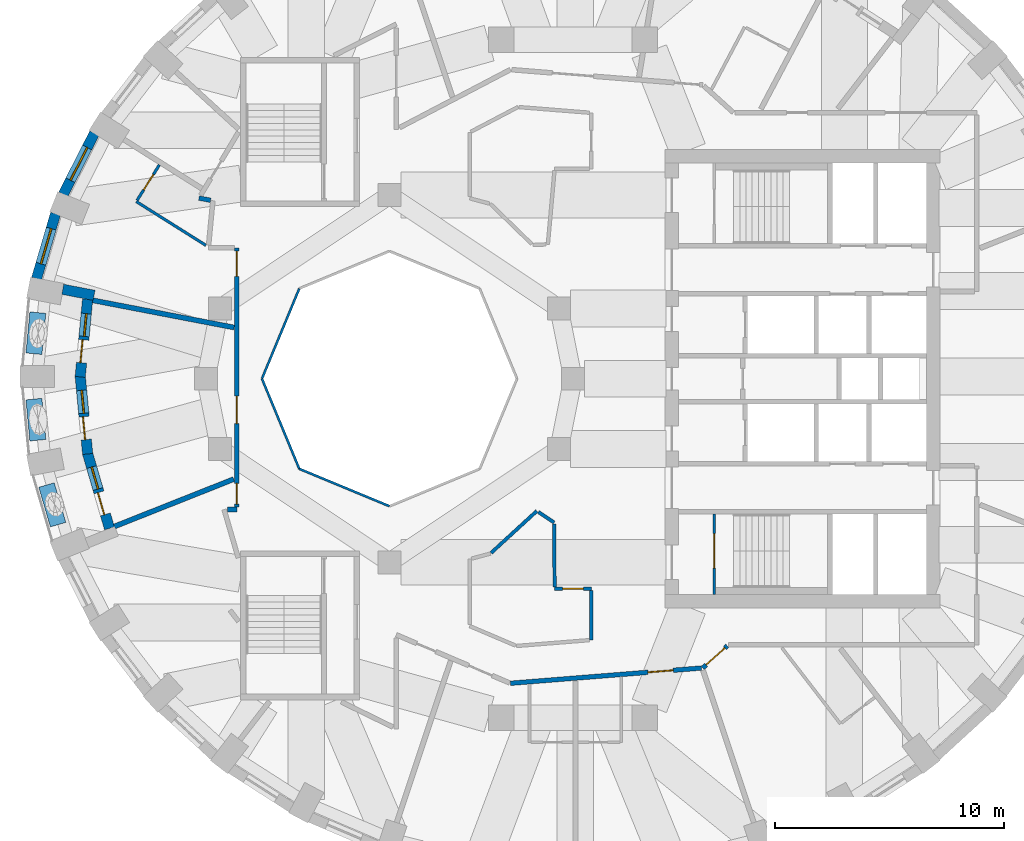
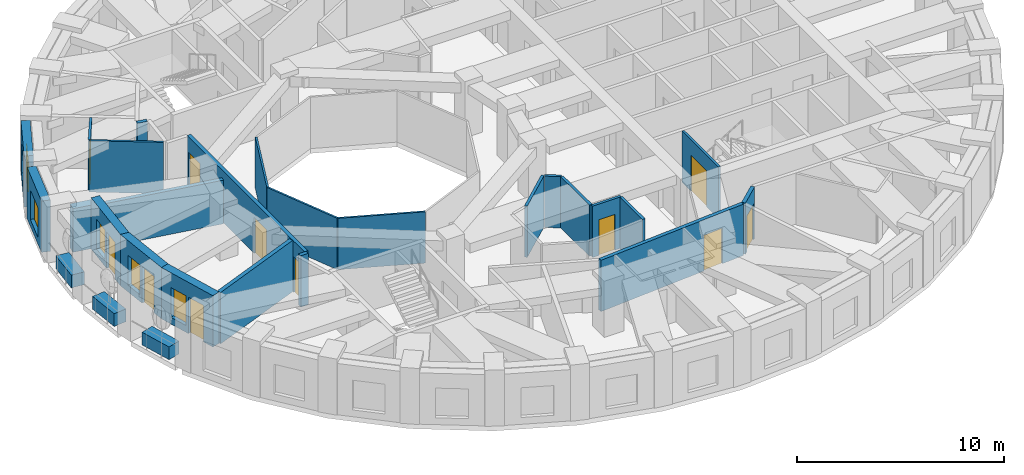
# One storey, part 4 of 12: 27 walls, 11 doors, 5 windows, 16 openings.
"""IFC4 building model written with IfcOpenShell, lengths in metres."""

from ifc_helpers import new_model, si_unit, direction, frame, frame_2d, origin, place, context, subcontext, project, spatial, rectangle, extrude, material, layer, layer_set, constituent, constituent_set, type_object, element, fill, save


model = new_model("IFC4")

# Units and contexts
model_context = context("Model", 3, precision=1e-05, world=origin(), true_north=direction((0.0, 1.0)))
body_context = subcontext(model_context, "Body", "Model", "MODEL_VIEW")
ifc_project = project(units=[si_unit("LENGTHUNIT", "METRE"), si_unit("AREAUNIT", "SQUARE_METRE"), si_unit("VOLUMEUNIT", "CUBIC_METRE"), si_unit("PLANEANGLEUNIT", "RADIAN"), si_unit("MASSUNIT", "GRAM", prefix="KILO")], contexts=[model_context])

# Site, building, storey
site_placement = place(None, origin())
site = spatial("IfcSite", under=ifc_project, at=site_placement, CompositionType="ELEMENT")
building_placement = place(site_placement, origin())
building = spatial("IfcBuilding", under=site, at=building_placement, Name="Taillehof Tower", CompositionType="ELEMENT")
storey_placement = place(building_placement, frame((0.0, 0.0, 145.10009765625)))
storey = spatial("IfcBuildingStorey", under=building, at=storey_placement, Name="L40", CompositionType="ELEMENT", Elevation=145.10009765625)

# Walls
ifc_material_1 = material(Name="Fire-resisting glass in steel frame", Category="steel")
ifc_layer_1 = layer(ifc_material_1, 0.10009765625)
ifc_layer_set_1 = layer_set([ifc_layer_1], Name="Atrium fire-resisting screen EI 60 100")
wall_type_1 = type_object("IfcWallType", Name="Atrium fire-resisting screen EI 60 100", PredefinedType="PARTITIONING", material=ifc_layer_set_1)
for number, where, z_axis, x_axis, name in (
    (1, (-8.0, -5.55419921875, 0.0), (0.0, 0.0, 1.0), (-0.923860025149, 0.382730523909, 0.0), "Atrium screen"),
    (2, (-11.92724609375, -3.92724609375, 0.0), (0.0, 0.0, 1.0), (-0.382730523909, 0.923860025149, 0.0), "Atrium screen"),
    (3, (-13.55419921875, 0.0, 0.0), (0.0, 0.0, 1.0), (0.382730523909, 0.923860025149, 0.0), "Atrium screen"),
):
    element("IfcWall", number, at=place(storey_placement, frame(where, z_axis=z_axis, x_axis=x_axis)), inside=storey, type_object=wall_type_1, Name=name, PredefinedType="PARTITIONING", context=body_context, shape_type="SweptSolid", body=[
        extrude(rectangle(XDim=4.2509765625, YDim=0.10009765625, at=frame_2d((2.12548828125, 0.0))), origin(), (0.0, 0.0, 1.0), 3.02001953125),
    ])

# Wall, opening, window
ifc_material_2 = material(Name="Brick masonry", Category="masonry")
ifc_layer_2 = layer(ifc_material_2, 0.449951171875)
ifc_layer_set_2 = layer_set([ifc_layer_2], Name="Brick infill wall 450")
wall_type_2 = type_object("IfcWallType", Name="Brick infill wall 450", PredefinedType="SOLIDWALL", material=ifc_layer_set_2)
wall_1_placement = place(storey_placement, frame((-20.859375, 10.697021484375, 0.0), z_axis=(0.0, 0.0, 1.0), x_axis=(-0.454133999889, -0.890933392653, 0.0)))
wall_1 = element("IfcWall", 4, at=wall_1_placement, inside=storey, type_object=wall_type_2, Name="Brick wall L40 bay 16", PredefinedType="SOLIDWALL", context=body_context, shape_type="SweptSolid", body=[
    extrude(rectangle(XDim=2.98583984375, YDim=0.449951171875, at=frame_2d((1.492919921875, 0.0))), origin(), (0.0, 0.0, 1.0), 3.02001953125),
])
opening_1_placement = place(wall_1_placement, frame((0.69287109375, 0.0, 0.39990234375)))
opening_1 = element("IfcOpeningElement", 5, at=opening_1_placement, cuts=wall_1, Name="Opening W3", PredefinedType="OPENING", context=body_context, shape_type="SweptSolid", body=[
    extrude(rectangle(XDim=1.60009765625, YDim=1.75, at=frame_2d((0.800048828125, 0.875))), frame((0.0, 0.23486328125, 0.0), z_axis=(0.0, -1.0, 0.0), x_axis=(1.0, 0.0, 0.0)), (0.0, 0.0, 1.0), 0.469970703125),
])
ifc_material_3 = material(Name="Aluminium window frame with clear double glazing", Category="aluminium")
window_type_1 = type_object("IfcWindowType", Name="Deep-set window 1600x1750", PartitioningType="SINGLE_PANEL", PredefinedType="WINDOW", material=ifc_material_3)
window_1_placement = place(opening_1_placement, origin())
window_1 = element("IfcWindow", 6, at=window_1_placement, inside=storey, type_object=window_type_1, Name="W3", OverallHeight=1.75, OverallWidth=1.60009765625, PartitioningType="SINGLE_PANEL", PredefinedType="WINDOW", context=body_context, shape_type="SweptSolid", body=[
    extrude(rectangle(XDim=1.60009765625, YDim=1.75, at=frame_2d((0.800048828125, 0.875))), frame((0.0, 0.034912109375, 0.0), z_axis=(0.0, -1.0, 0.0), x_axis=(1.0, 0.0, 0.0)), (0.0, 0.0, 1.0), 0.06005859375),
])
fill(opening_1, window_1)

wall_2_placement = place(storey_placement, frame((-22.55126953125, 7.19091796875, 0.0), z_axis=(0.0, 0.0, 1.0), x_axis=(-0.281125768296, -0.959670934435, 0.0)))
wall_2 = element("IfcWall", 7, at=wall_2_placement, inside=storey, type_object=wall_type_2, Name="Brick wall L40 bay 17", PredefinedType="SOLIDWALL", context=body_context, shape_type="SweptSolid", body=[
    extrude(rectangle(XDim=2.947509765625, YDim=0.449951171875, at=frame_2d((1.4736328125, 0.0))), origin(), (0.0, 0.0, 1.0), 3.02001953125),
])
opening_2_placement = place(wall_2_placement, frame((0.673583984375, 0.0, 0.39990234375)))
opening_2 = element("IfcOpeningElement", 8, at=opening_2_placement, cuts=wall_2, Name="Opening W3", PredefinedType="OPENING", context=body_context, shape_type="SweptSolid", body=[
    extrude(rectangle(XDim=1.60009765625, YDim=1.75, at=frame_2d((0.800048828125, 0.875))), frame((0.0, 0.23486328125, 0.0), z_axis=(0.0, -1.0, 0.0), x_axis=(1.0, 0.0, 0.0)), (0.0, 0.0, 1.0), 0.469970703125),
])
window_2_placement = place(opening_2_placement, origin())
window_2 = element("IfcWindow", 9, at=window_2_placement, inside=storey, type_object=window_type_1, Name="W3", OverallHeight=1.75, OverallWidth=1.60009765625, PartitioningType="SINGLE_PANEL", PredefinedType="WINDOW", context=body_context, shape_type="SweptSolid", body=[
    extrude(rectangle(XDim=1.60009765625, YDim=1.75, at=frame_2d((0.800048828125, 0.875))), frame((0.0, 0.034912109375, 0.0), z_axis=(0.0, -1.0, 0.0), x_axis=(1.0, 0.0, 0.0)), (0.0, 0.0, 1.0), 0.06005859375),
])
fill(opening_2, window_2)

# Wall
wall_3_placement = place(storey_placement, frame((-22.236572265625, 3.896484375, 0.0), z_axis=(0.0, 0.0, 1.0), x_axis=(0.98204526411, -0.188645432598, 0.0)))
element("IfcWall", 10, at=wall_3_placement, inside=storey, type_object=wall_type_2, Name="Brick reveal L40 pocket 5", PredefinedType="SOLIDWALL", context=body_context, shape_type="SweptSolid", body=[
    extrude(rectangle(XDim=1.389892578125, YDim=0.449951171875, at=frame_2d((0.69482421875, 0.0))), origin(), (0.0, 0.0, 1.0), 2.56982421875),
])

# Wall, openings, door, window
wall_4_placement = place(storey_placement, frame((-21.153564453125, 3.459228515625, 0.0), z_axis=(0.0, 0.0, 1.0), x_axis=(-0.094968544931, -0.995480273774, 0.0)))
wall_4 = element("IfcWall", 11, at=wall_4_placement, inside=storey, type_object=wall_type_2, Name="Brick wall L40 pocket bay 18", PredefinedType="SOLIDWALL", context=body_context, shape_type="SweptSolid", body=[
    extrude(rectangle(XDim=3.39599609375, YDim=0.449951171875, at=frame_2d((1.697998046875, 0.0))), origin(), (0.0, 0.0, 1.0), 3.02001953125),
])
opening_3_placement = place(wall_4_placement, frame((0.623046875, 0.0, 0.39990234375)))
opening_3 = element("IfcOpeningElement", 12, at=opening_3_placement, cuts=wall_4, Name="Opening W5", PredefinedType="OPENING", context=body_context, shape_type="SweptSolid", body=[
    extrude(rectangle(XDim=1.0, YDim=1.75, at=frame_2d((0.5, 0.875))), frame((0.0, 0.23486328125, 0.0), z_axis=(0.0, -1.0, 0.0), x_axis=(1.0, 0.0, 0.0)), (0.0, 0.0, 1.0), 0.469970703125),
])
opening_4_placement = place(wall_4_placement, frame((1.77294921875, 0.0, 0.0)))
opening_4 = element("IfcOpeningElement", 13, at=opening_4_placement, cuts=wall_4, Name="Opening D4091", PredefinedType="OPENING", context=body_context, shape_type="SweptSolid", body=[
    extrude(rectangle(XDim=1.0, YDim=2.14990234375, at=frame_2d((0.5, 1.074951171875))), frame((0.0, 0.23486328125, 0.0), z_axis=(0.0, -1.0, 0.0), x_axis=(1.0, 0.0, 0.0)), (0.0, 0.0, 1.0), 0.469970703125),
])
ifc_material_4 = material(Name="Aluminium door frame with clear double glazing", Category="aluminium")
door_type_1 = type_object("IfcDoorType", Name="Balcony door 1000x2150", OperationType="SINGLE_SWING_RIGHT", PredefinedType="DOOR", material=ifc_material_4)
door_1_placement = place(opening_4_placement, frame((1.0, 0.0, 0.0), z_axis=(0.0, 0.0, 1.0), x_axis=(-1.0, 0.0, 0.0)))
door_1 = element("IfcDoor", 14, at=door_1_placement, inside=storey, type_object=door_type_1, Name="Balcony door L40 bay 18", OperationType="SINGLE_SWING_RIGHT", OverallHeight=2.14990234375, OverallWidth=1.0, PredefinedType="DOOR", context=body_context, shape_type="SweptSolid", body=[
    extrude(rectangle(XDim=1.0, YDim=2.14990234375, at=frame_2d((0.5, 1.074951171875))), frame((0.0, 0.0751953125, 0.0), z_axis=(0.0, -1.0, 0.0), x_axis=(1.0, 0.0, 0.0)), (0.0, 0.0, 1.0), 0.050048828125),
])
fill(opening_4, door_1)
ifc_material_5 = material(Name="Aluminium window frame with clear double glazing", Category="aluminium")
window_type_2 = type_object("IfcWindowType", Name="Fixed window 1000x1750", PartitioningType="SINGLE_PANEL", PredefinedType="WINDOW", material=ifc_material_5)
window_3_placement = place(opening_3_placement, origin())
window_3 = element("IfcWindow", 15, at=window_3_placement, inside=storey, type_object=window_type_2, Name="W5", OverallHeight=1.75, OverallWidth=1.0, PartitioningType="SINGLE_PANEL", PredefinedType="WINDOW", context=body_context, shape_type="SweptSolid", body=[
    extrude(rectangle(XDim=1.0, YDim=1.75, at=frame_2d((0.5, 0.875))), frame((0.0, 0.034912109375, 0.0), z_axis=(0.0, -1.0, 0.0), x_axis=(1.0, 0.0, 0.0)), (0.0, 0.0, 1.0), 0.06005859375),
])
fill(opening_3, window_3)

wall_5_placement = place(storey_placement, frame((-21.47607421875, 0.121337890625, 0.0), z_axis=(0.0, 0.0, 1.0), x_axis=(0.094947321258, -0.995482298279, 0.0)))
wall_5 = element("IfcWall", 16, at=wall_5_placement, inside=storey, type_object=wall_type_2, Name="Brick wall L40 pocket bay 19", PredefinedType="SOLIDWALL", context=body_context, shape_type="SweptSolid", body=[
    extrude(rectangle(XDim=3.417236328125, YDim=0.449951171875, at=frame_2d((1.70849609375, 0.0))), origin(), (0.0, 0.0, 1.0), 3.02001953125),
])
opening_5_placement = place(wall_5_placement, frame((0.6337890625, 0.0, 0.39990234375)))
opening_5 = element("IfcOpeningElement", 17, at=opening_5_placement, cuts=wall_5, Name="Opening W5", PredefinedType="OPENING", context=body_context, shape_type="SweptSolid", body=[
    extrude(rectangle(XDim=1.0, YDim=1.75, at=frame_2d((0.5, 0.875))), frame((0.0, 0.23486328125, 0.0), z_axis=(0.0, -1.0, 0.0), x_axis=(1.0, 0.0, 0.0)), (0.0, 0.0, 1.0), 0.469970703125),
])
opening_6_placement = place(wall_5_placement, frame((1.78369140625, 0.0, 0.0)))
opening_6 = element("IfcOpeningElement", 18, at=opening_6_placement, cuts=wall_5, Name="Opening D4092", PredefinedType="OPENING", context=body_context, shape_type="SweptSolid", body=[
    extrude(rectangle(XDim=1.0, YDim=2.14990234375, at=frame_2d((0.5, 1.074951171875))), frame((0.0, 0.23486328125, 0.0), z_axis=(0.0, -1.0, 0.0), x_axis=(1.0, 0.0, 0.0)), (0.0, 0.0, 1.0), 0.469970703125),
])
door_2_placement = place(opening_6_placement, frame((1.0, 0.0, 0.0), z_axis=(0.0, 0.0, 1.0), x_axis=(-1.0, 0.0, 0.0)))
door_2 = element("IfcDoor", 19, at=door_2_placement, inside=storey, type_object=door_type_1, Name="Balcony door L40 bay 19", OperationType="SINGLE_SWING_LEFT", OverallHeight=2.14990234375, OverallWidth=1.0, PredefinedType="DOOR", context=body_context, shape_type="SweptSolid", body=[
    extrude(rectangle(XDim=1.0, YDim=2.14990234375, at=frame_2d((0.5, 1.074951171875))), frame((0.0, 0.0751953125, 0.0), z_axis=(0.0, -1.0, 0.0), x_axis=(1.0, 0.0, 0.0)), (0.0, 0.0, 1.0), 0.050048828125),
])
fill(opening_6, door_2)
window_4_placement = place(opening_5_placement, origin())
window_4 = element("IfcWindow", 20, at=window_4_placement, inside=storey, type_object=window_type_2, Name="W5", OverallHeight=1.75, OverallWidth=1.0, PartitioningType="SINGLE_PANEL", PredefinedType="WINDOW", context=body_context, shape_type="SweptSolid", body=[
    extrude(rectangle(XDim=1.0, YDim=1.75, at=frame_2d((0.5, 0.875))), frame((0.0, 0.034912109375, 0.0), z_axis=(0.0, -1.0, 0.0), x_axis=(1.0, 0.0, 0.0)), (0.0, 0.0, 1.0), 0.06005859375),
])
fill(opening_5, window_4)

wall_6_placement = place(storey_placement, frame((-21.159423828125, -3.23876953125, 0.0), z_axis=(0.0, 0.0, 1.0), x_axis=(0.280377942886, -0.959889685924, 0.0)))
wall_6 = element("IfcWall", 21, at=wall_6_placement, inside=storey, type_object=wall_type_2, Name="Brick wall L40 pocket bay 20", PredefinedType="SOLIDWALL", context=body_context, shape_type="SweptSolid", body=[
    extrude(rectangle(XDim=3.4228515625, YDim=0.449951171875, at=frame_2d((1.71142578125, 0.0))), origin(), (0.0, 0.0, 1.0), 3.02001953125),
])
opening_7_placement = place(wall_6_placement, frame((0.636474609375, 0.0, 0.39990234375)))
opening_7 = element("IfcOpeningElement", 22, at=opening_7_placement, cuts=wall_6, Name="Opening W5", PredefinedType="OPENING", context=body_context, shape_type="SweptSolid", body=[
    extrude(rectangle(XDim=1.0, YDim=1.75, at=frame_2d((0.5, 0.875))), frame((0.0, 0.23486328125, 0.0), z_axis=(0.0, -1.0, 0.0), x_axis=(1.0, 0.0, 0.0)), (0.0, 0.0, 1.0), 0.469970703125),
])
opening_8_placement = place(wall_6_placement, frame((1.786376953125, 0.0, 0.0)))
opening_8 = element("IfcOpeningElement", 23, at=opening_8_placement, cuts=wall_6, Name="Opening D4093", PredefinedType="OPENING", context=body_context, shape_type="SweptSolid", body=[
    extrude(rectangle(XDim=1.0, YDim=2.14990234375, at=frame_2d((0.5, 1.074951171875))), frame((0.0, 0.23486328125, 0.0), z_axis=(0.0, -1.0, 0.0), x_axis=(1.0, 0.0, 0.0)), (0.0, 0.0, 1.0), 0.469970703125),
])
door_3_placement = place(opening_8_placement, frame((1.0, 0.0, 0.0), z_axis=(0.0, 0.0, 1.0), x_axis=(-1.0, 0.0, 0.0)))
door_3 = element("IfcDoor", 24, at=door_3_placement, inside=storey, type_object=door_type_1, Name="Balcony door L40 bay 20", OperationType="SINGLE_SWING_LEFT", OverallHeight=2.14990234375, OverallWidth=1.0, PredefinedType="DOOR", context=body_context, shape_type="SweptSolid", body=[
    extrude(rectangle(XDim=1.0, YDim=2.14990234375, at=frame_2d((0.5, 1.074951171875))), frame((0.0, 0.0751953125, 0.0), z_axis=(0.0, -1.0, 0.0), x_axis=(1.0, 0.0, 0.0)), (0.0, 0.0, 1.0), 0.050048828125),
])
fill(opening_8, door_3)
window_5_placement = place(opening_7_placement, origin())
window_5 = element("IfcWindow", 25, at=window_5_placement, inside=storey, type_object=window_type_2, Name="W5", OverallHeight=1.75, OverallWidth=1.0, PartitioningType="SINGLE_PANEL", PredefinedType="WINDOW", context=body_context, shape_type="SweptSolid", body=[
    extrude(rectangle(XDim=1.0, YDim=1.75, at=frame_2d((0.5, 0.875))), frame((0.0, 0.034912109375, 0.0), z_axis=(0.0, -1.0, 0.0), x_axis=(1.0, 0.0, 0.0)), (0.0, 0.0, 1.0), 0.06005859375),
])
fill(opening_7, window_5)

# Wall, opening, door
ifc_material_6 = material(Name="Gypsum board on steel studs, two layers each side", Category="steel")
ifc_layer_3 = layer(ifc_material_6, 0.199951171875)
ifc_layer_set_3 = layer_set([ifc_layer_3], Name="Compartment wall corridor 200")
wall_type_3 = type_object("IfcWallType", Name="Compartment wall corridor 200", PredefinedType="PARTITIONING", material=ifc_layer_set_3)
wall_7_placement = place(storey_placement, frame((6.722900390625, -11.640380859375, 0.0), z_axis=(0.0, 0.0, 1.0), x_axis=(-0.743032656565, -0.669255161562, 0.0)))
wall_7 = element("IfcWall", 26, at=wall_7_placement, inside=storey, type_object=wall_type_3, Name="Compartment wall", PredefinedType="PARTITIONING", context=body_context, shape_type="SweptSolid", body=[
    extrude(rectangle(XDim=1.439453125, YDim=0.199951171875, at=frame_2d((0.7197265625, 0.0))), origin(), (0.0, 0.0, 1.0), 3.02001953125),
])
opening_9_placement = place(wall_7_placement, frame((0.139892578125, 0.0, 0.0)))
opening_9 = element("IfcOpeningElement", 27, at=opening_9_placement, cuts=wall_7, Name="Opening D4055", PredefinedType="OPENING", context=body_context, shape_type="SweptSolid", body=[
    extrude(rectangle(XDim=1.10009765625, YDim=2.10009765625, at=frame_2d((0.550048828125, 1.050048828125))), frame((0.0, 0.10986328125, 0.0), z_axis=(0.0, -1.0, 0.0), x_axis=(1.0, 0.0, 0.0)), (0.0, 0.0, 1.0), 0.219970703125),
])
ifc_material_7 = material(Name="Timber door leaf in steel frame", Category="steel")
door_type_2 = type_object("IfcDoorType", Name="Suite entrance door EI 30 1100 x 2100", OperationType="SINGLE_SWING_LEFT", PredefinedType="DOOR", material=ifc_material_7)
door_4_placement = place(opening_9_placement, origin())
door_4 = element("IfcDoor", 28, at=door_4_placement, inside=storey, type_object=door_type_2, Name="D4055", OperationType="SINGLE_SWING_RIGHT", OverallHeight=2.10009765625, OverallWidth=1.10009765625, PredefinedType="DOOR", context=body_context, shape_type="SweptSolid", body=[
    extrude(rectangle(XDim=1.10009765625, YDim=2.10009765625, at=frame_2d((0.550048828125, 1.050048828125))), frame((0.0, 0.02490234375, 0.0), z_axis=(0.0, -1.0, 0.0), x_axis=(1.0, 0.0, 0.0)), (0.0, 0.0, 1.0), 0.050048828125),
])
fill(opening_9, door_4)

wall_8_placement = place(storey_placement, frame((5.59326171875, -12.60888671875, 0.0), z_axis=(0.0, 0.0, 1.0), x_axis=(-0.99682930336, -0.079569717626, 0.0)))
wall_8 = element("IfcWall", 29, at=wall_8_placement, inside=storey, type_object=wall_type_3, Name="Compartment wall", PredefinedType="PARTITIONING", context=body_context, shape_type="SweptSolid", body=[
    extrude(rectangle(XDim=8.3486328125, YDim=0.199951171875, at=frame_2d((4.17431640625, 0.0))), origin(), (0.0, 0.0, 1.0), 3.02001953125),
])
opening_10_placement = place(wall_8_placement, frame((1.232177734375, 0.0, 0.0)))
opening_10 = element("IfcOpeningElement", 30, at=opening_10_placement, cuts=wall_8, Name="Opening D4053", PredefinedType="OPENING", context=body_context, shape_type="SweptSolid", body=[
    extrude(rectangle(XDim=1.10009765625, YDim=2.10009765625, at=frame_2d((0.550048828125, 1.050048828125))), frame((0.0, 0.10986328125, 0.0), z_axis=(0.0, -1.0, 0.0), x_axis=(1.0, 0.0, 0.0)), (0.0, 0.0, 1.0), 0.219970703125),
])
door_5_placement = place(opening_10_placement, origin())
door_5 = element("IfcDoor", 31, at=door_5_placement, inside=storey, type_object=door_type_2, Name="D4053", OperationType="SINGLE_SWING_RIGHT", OverallHeight=2.10009765625, OverallWidth=1.10009765625, PredefinedType="DOOR", context=body_context, shape_type="SweptSolid", body=[
    extrude(rectangle(XDim=1.10009765625, YDim=2.10009765625, at=frame_2d((0.550048828125, 1.050048828125))), frame((0.0, 0.02490234375, 0.0), z_axis=(0.0, -1.0, 0.0), x_axis=(1.0, 0.0, 0.0)), (0.0, 0.0, 1.0), 0.050048828125),
])
fill(opening_10, door_5)

# Wall
wall_9_placement = place(storey_placement, frame((-15.0654296875, -5.699951171875, 0.0), z_axis=(0.0, 0.0, 1.0), x_axis=(1.0, 0.0, 0.0)))
element("IfcWall", 32, at=wall_9_placement, inside=storey, type_object=wall_type_3, Name="Compartment wall", PredefinedType="PARTITIONING", context=body_context, shape_type="SweptSolid", body=[
    extrude(rectangle(XDim=0.418701171875, YDim=0.199951171875, at=frame_2d((0.20947265625, 0.0))), origin(), (0.0, 0.0, 1.0), 3.02001953125),
])

# Wall, openings, doors
wall_10_placement = place(storey_placement, frame((-14.646728515625, -5.599853515625, 0.0), z_axis=(0.0, 0.0, 1.0), x_axis=(0.0, 1.0, 0.0)))
wall_10 = element("IfcWall", 33, at=wall_10_placement, inside=storey, type_object=wall_type_3, Name="Compartment wall", PredefinedType="PARTITIONING", context=body_context, shape_type="SweptSolid", body=[
    extrude(rectangle(XDim=11.2998046875, YDim=0.199951171875, at=frame_2d((5.64990234375, 0.0))), origin(), (0.0, 0.0, 1.0), 3.02001953125),
])
opening_11_placement = place(wall_10_placement, frame((10.059814453125, 0.0, 0.0)))
opening_11 = element("IfcOpeningElement", 34, at=opening_11_placement, cuts=wall_10, Name="Opening D4046", PredefinedType="OPENING", context=body_context, shape_type="SweptSolid", body=[
    extrude(rectangle(XDim=1.10009765625, YDim=2.10009765625, at=frame_2d((0.550048828125, 1.050048828125))), frame((0.0, 0.10986328125, 0.0), z_axis=(0.0, -1.0, 0.0), x_axis=(1.0, 0.0, 0.0)), (0.0, 0.0, 1.0), 0.219970703125),
])
opening_12_placement = place(wall_10_placement, frame((3.638916015625, 0.0, 0.0)))
opening_12 = element("IfcOpeningElement", 35, at=opening_12_placement, cuts=wall_10, Name="Opening D4048", PredefinedType="OPENING", context=body_context, shape_type="SweptSolid", body=[
    extrude(rectangle(XDim=1.199951171875, YDim=2.10009765625, at=frame_2d((0.60009765625, 1.050048828125))), frame((0.0, 0.10986328125, 0.0), z_axis=(0.0, -1.0, 0.0), x_axis=(1.0, 0.0, 0.0)), (0.0, 0.0, 1.0), 0.219970703125),
])
opening_13_placement = place(wall_10_placement, frame((0.139892578125, 0.0, 0.0)))
opening_13 = element("IfcOpeningElement", 36, at=opening_13_placement, cuts=wall_10, Name="Opening D4049", PredefinedType="OPENING", context=body_context, shape_type="SweptSolid", body=[
    extrude(rectangle(XDim=0.89990234375, YDim=2.10009765625, at=frame_2d((0.449951171875, 1.050048828125))), frame((0.0, 0.10986328125, 0.0), z_axis=(0.0, -1.0, 0.0), x_axis=(1.0, 0.0, 0.0)), (0.0, 0.0, 1.0), 0.219970703125),
])
ifc_material_8 = material(Name="Timber door leaf in steel frame", Category="steel")
door_type_3 = type_object("IfcDoorType", Name="Service room door EI 30 900 x 2100", OperationType="SINGLE_SWING_LEFT", PredefinedType="DOOR", material=ifc_material_8)
door_6_placement = place(opening_13_placement, origin())
door_6 = element("IfcDoor", 37, at=door_6_placement, inside=storey, type_object=door_type_3, Name="D4049", OperationType="SINGLE_SWING_LEFT", OverallHeight=2.10009765625, OverallWidth=0.89990234375, PredefinedType="DOOR", context=body_context, shape_type="SweptSolid", body=[
    extrude(rectangle(XDim=0.89990234375, YDim=2.10009765625, at=frame_2d((0.449951171875, 1.050048828125))), frame((0.0, 0.02490234375, 0.0), z_axis=(0.0, -1.0, 0.0), x_axis=(1.0, 0.0, 0.0)), (0.0, 0.0, 1.0), 0.050048828125),
])
fill(opening_13, door_6)
door_7_placement = place(opening_11_placement, origin())
door_7 = element("IfcDoor", 38, at=door_7_placement, inside=storey, type_object=door_type_2, Name="D4046", OperationType="SINGLE_SWING_RIGHT", OverallHeight=2.10009765625, OverallWidth=1.10009765625, PredefinedType="DOOR", context=body_context, shape_type="SweptSolid", body=[
    extrude(rectangle(XDim=1.10009765625, YDim=2.10009765625, at=frame_2d((0.550048828125, 1.050048828125))), frame((0.0, 0.02490234375, 0.0), z_axis=(0.0, -1.0, 0.0), x_axis=(1.0, 0.0, 0.0)), (0.0, 0.0, 1.0), 0.050048828125),
])
fill(opening_11, door_7)
ifc_material_9 = material(Name="Timber door leaf in steel frame", Category="steel")
door_type_4 = type_object("IfcDoorType", Name="Suite entrance door EI 30 1200 x 2100", OperationType="SINGLE_SWING_LEFT", PredefinedType="DOOR", material=ifc_material_9)
door_8_placement = place(opening_12_placement, origin())
door_8 = element("IfcDoor", 39, at=door_8_placement, inside=storey, type_object=door_type_4, Name="D4048", OperationType="SINGLE_SWING_LEFT", OverallHeight=2.10009765625, OverallWidth=1.199951171875, PredefinedType="DOOR", context=body_context, shape_type="SweptSolid", body=[
    extrude(rectangle(XDim=1.199951171875, YDim=2.10009765625, at=frame_2d((0.60009765625, 1.050048828125))), frame((0.0, 0.02490234375, 0.0), z_axis=(0.0, -1.0, 0.0), x_axis=(1.0, 0.0, 0.0)), (0.0, 0.0, 1.0), 0.050048828125),
])
fill(opening_12, door_8)

# Walls
wall_11_placement = place(storey_placement, frame((-15.79345703125, 7.774658203125, 0.0), z_axis=(0.0, 0.0, 1.0), x_axis=(-0.981833914825, 0.189742361371, 0.0)))
element("IfcWall", 40, at=wall_11_placement, inside=storey, type_object=wall_type_3, Name="Compartment wall", PredefinedType="PARTITIONING", context=body_context, shape_type="SweptSolid", body=[
    extrude(rectangle(XDim=0.515869140625, YDim=0.199951171875, at=frame_2d((0.2578125, 0.0))), origin(), (0.0, 0.0, 1.0), 3.02001953125),
])
ifc_material_10 = material(Name="Gypsum board on double steel studs with mineral wool", Category="steel")
ifc_layer_4 = layer(ifc_material_10, 0.219970703125)
ifc_layer_set_4 = layer_set([ifc_layer_4], Name="Compartment wall guest room 220")
wall_type_4 = type_object("IfcWallType", Name="Compartment wall guest room 220", PredefinedType="PARTITIONING", material=ifc_layer_set_4)
wall_12_placement = place(storey_placement, frame((-20.931640625, 3.416748046875, 0.0), z_axis=(0.0, 0.0, 1.0), x_axis=(0.982023362662, -0.188759410856, 0.0)))
element("IfcWall", 41, at=wall_12_placement, inside=storey, type_object=wall_type_4, Name="Compartment wall", PredefinedType="PARTITIONING", context=body_context, shape_type="SweptSolid", body=[
    extrude(rectangle(XDim=6.278076171875, YDim=0.219970703125, at=frame_2d((3.13916015625, 0.0))), origin(), (0.0, 0.0, 1.0), 2.56982421875),
])
wall_13_placement = place(storey_placement, frame((-19.989501953125, -6.441162109375, 0.0), z_axis=(0.0, 0.0, 1.0), x_axis=(0.929507316491, 0.368803672147, 0.0)))
element("IfcWall", 42, at=wall_13_placement, inside=storey, type_object=wall_type_4, Name="Compartment wall", PredefinedType="PARTITIONING", context=body_context, shape_type="SweptSolid", body=[
    extrude(rectangle(XDim=5.600341796875, YDim=0.219970703125, at=frame_2d((2.80029296875, 0.0))), origin(), (0.0, 0.0, 1.0), 3.02001953125),
])

# Wall, opening, door
ifc_material_11 = material(Name="Gypsum board on steel studs, two layers each side", Category="steel")
ifc_layer_5 = layer(ifc_material_11, 0.14990234375)
ifc_layer_set_5 = layer_set([ifc_layer_5], Name="Compartment wall service room 150")
wall_type_5 = type_object("IfcWallType", Name="Compartment wall service room 150", PredefinedType="PARTITIONING", material=ifc_layer_set_5)
wall_14_placement = place(storey_placement, frame((-0.800048828125, -9.14990234375, 0.0), z_axis=(0.0, 0.0, 1.0), x_axis=(1.0, 0.0, 0.0)))
wall_14 = element("IfcWall", 43, at=wall_14_placement, inside=storey, type_object=wall_type_5, Name="Compartment wall", PredefinedType="PARTITIONING", context=body_context, shape_type="SweptSolid", body=[
    extrude(rectangle(XDim=1.60009765625, YDim=0.14990234375, at=frame_2d((0.800048828125, 0.0))), origin(), (0.0, 0.0, 1.0), 3.02001953125),
])
opening_14_placement = place(wall_14_placement, frame((0.35009765625, 0.0, 0.0)))
opening_14 = element("IfcOpeningElement", 44, at=opening_14_placement, cuts=wall_14, Name="Opening D4061", PredefinedType="OPENING", context=body_context, shape_type="SweptSolid", body=[
    extrude(rectangle(XDim=0.89990234375, YDim=2.10009765625, at=frame_2d((0.449951171875, 1.050048828125))), frame((0.0, 0.0849609375, 0.0), z_axis=(0.0, -1.0, 0.0), x_axis=(1.0, 0.0, 0.0)), (0.0, 0.0, 1.0), 0.169921875),
])
door_9_placement = place(opening_14_placement, origin())
door_9 = element("IfcDoor", 45, at=door_9_placement, inside=storey, type_object=door_type_3, Name="D4061", OperationType="SINGLE_SWING_LEFT", OverallHeight=2.10009765625, OverallWidth=0.89990234375, PredefinedType="DOOR", context=body_context, shape_type="SweptSolid", body=[
    extrude(rectangle(XDim=0.89990234375, YDim=2.10009765625, at=frame_2d((0.449951171875, 1.050048828125))), frame((0.0, 0.02490234375, 0.0), z_axis=(0.0, -1.0, 0.0), x_axis=(1.0, 0.0, 0.0)), (0.0, 0.0, 1.0), 0.050048828125),
])
fill(opening_14, door_9)

# Walls
wall_15_placement = place(storey_placement, frame((0.800048828125, -9.22998046875, 0.0), z_axis=(0.0, 0.0, 1.0), x_axis=(0.0, -1.0, 0.0)))
element("IfcWall", 46, at=wall_15_placement, inside=storey, type_object=wall_type_5, Name="Compartment wall", PredefinedType="PARTITIONING", context=body_context, shape_type="SweptSolid", body=[
    extrude(rectangle(XDim=2.15625, YDim=0.14990234375, at=frame_2d((1.078125, 0.0))), origin(), (0.0, 0.0, 1.0), 3.02001953125),
])
wall_16_placement = place(storey_placement, frame((-3.57080078125, -7.593994140625, 0.0), z_axis=(0.0, 0.0, 1.0), x_axis=(0.736783660812, 0.676128565555, 0.0)))
element("IfcWall", 47, at=wall_16_placement, inside=storey, type_object=wall_type_5, Name="Compartment wall", PredefinedType="PARTITIONING", context=body_context, shape_type="SweptSolid", body=[
    extrude(rectangle(XDim=2.708984375, YDim=0.14990234375, at=frame_2d((1.3544921875, 0.0))), origin(), (0.0, 0.0, 1.0), 3.02001953125),
])
wall_17_placement = place(storey_placement, frame((-1.508544921875, -5.806396484375, 0.0), z_axis=(0.0, 0.0, 1.0), x_axis=(0.831367153095, -0.55572354346, 0.0)))
element("IfcWall", 48, at=wall_17_placement, inside=storey, type_object=wall_type_5, Name="Compartment wall", PredefinedType="PARTITIONING", context=body_context, shape_type="SweptSolid", body=[
    extrude(rectangle(XDim=0.825439453125, YDim=0.14990234375, at=frame_2d((0.41259765625, 0.0))), origin(), (0.0, 0.0, 1.0), 3.02001953125),
])
wall_18_placement = place(storey_placement, frame((-0.821533203125, -6.3251953125, 0.0), z_axis=(0.0, 0.0, 1.0), x_axis=(0.007471771501, -0.999972085926, 0.0)))
element("IfcWall", 49, at=wall_18_placement, inside=storey, type_object=wall_type_5, Name="Compartment wall", PredefinedType="PARTITIONING", context=body_context, shape_type="SweptSolid", body=[
    extrude(rectangle(XDim=2.74462890625, YDim=0.14990234375, at=frame_2d((1.372314453125, 0.0))), origin(), (0.0, 0.0, 1.0), 3.02001953125),
])
ifc_material_12 = material(Name="Gypsum board on steel studs, moisture resistant", Category="steel")
ifc_layer_6 = layer(ifc_material_12, 0.1201171875)
ifc_layer_set_6 = layer_set([ifc_layer_6], Name="En-suite wall 120")
wall_type_6 = type_object("IfcWallType", Name="En-suite wall 120", PredefinedType="PARTITIONING", material=ifc_layer_set_6)
wall_19_placement = place(storey_placement, frame((-15.99951171875, 5.81298828125, 0.0), z_axis=(0.0, 0.0, 1.0), x_axis=(-0.846339825068, 0.53264331452, 0.0)))
element("IfcWall", 50, at=wall_19_placement, inside=storey, type_object=wall_type_6, Name="En-suite wall", PredefinedType="PARTITIONING", context=body_context, shape_type="SweptSolid", body=[
    extrude(rectangle(XDim=3.58154296875, YDim=0.1201171875, at=frame_2d((1.790771484375, 0.0))), origin(), (0.0, 0.0, 1.0), 3.02001953125),
])

# Wall, opening, door
wall_20_placement = place(storey_placement, frame((-18.99853515625, 7.771240234375, 0.0), z_axis=(0.0, 0.0, 1.0), x_axis=(0.532431076319, 0.84647335987, 0.0)))
wall_20 = element("IfcWall", 51, at=wall_20_placement, inside=storey, type_object=wall_type_6, Name="En-suite wall", PredefinedType="PARTITIONING", context=body_context, shape_type="SweptSolid", body=[
    extrude(rectangle(XDim=1.830078125, YDim=0.1201171875, at=frame_2d((0.9150390625, 0.0))), origin(), (0.0, 0.0, 1.0), 3.02001953125),
])
opening_15_placement = place(wall_20_placement, frame((0.5400390625, 0.0, 0.0)))
opening_15 = element("IfcOpeningElement", 52, at=opening_15_placement, cuts=wall_20, Name="Opening D4047", PredefinedType="OPENING", context=body_context, shape_type="SweptSolid", body=[
    extrude(rectangle(XDim=0.800048828125, YDim=2.10009765625, at=frame_2d((0.39990234375, 1.050048828125))), frame((0.0, 0.070068359375, 0.0), z_axis=(0.0, -1.0, 0.0), x_axis=(1.0, 0.0, 0.0)), (0.0, 0.0, 1.0), 0.14013671875),
])
ifc_material_13 = material(Name="Timber door leaf in steel frame", Category="steel")
door_type_5 = type_object("IfcDoorType", Name="En-suite door 800 x 2100", OperationType="SINGLE_SWING_LEFT", PredefinedType="DOOR", material=ifc_material_13)
door_10_placement = place(opening_15_placement, origin())
door_10 = element("IfcDoor", 53, at=door_10_placement, inside=storey, type_object=door_type_5, Name="D4047", OperationType="SINGLE_SWING_RIGHT", OverallHeight=2.10009765625, OverallWidth=0.800048828125, PredefinedType="DOOR", context=body_context, shape_type="SweptSolid", body=[
    extrude(rectangle(XDim=0.800048828125, YDim=2.10009765625, at=frame_2d((0.39990234375, 1.050048828125))), frame((0.0, 0.02490234375, 0.0), z_axis=(0.0, -1.0, 0.0), x_axis=(1.0, 0.0, 0.0)), (0.0, 0.0, 1.0), 0.050048828125),
])
fill(opening_15, door_10)

# Walls
ifc_material_14 = material(Name="Concrete C30/37 precast", Category="concrete")
ifc_constituent_1 = constituent(ifc_material_14, Name="Structure", Category="concrete")
ifc_material_15 = material(Name="Insulated lining")
ifc_constituent_2 = constituent(ifc_material_15, Name="Lining")
ifc_constituent_set = constituent_set(constituents=[ifc_constituent_1, ifc_constituent_2], Name="Planter trough 700x750")
wall_type_7 = type_object("IfcWallType", Name="Planter trough 700x750", PredefinedType="USERDEFINED", material=ifc_constituent_set)
for number, where, z_axis, x_axis, name in (
    (54, (-23.32177734375, 2.880615234375, 0.0), (0.0, 0.0, 1.0), (-0.095205890594, -0.995457602511, 0.0), "Planter L40 bay 18"),
    (55, (-23.4931640625, -0.888671875, 0.0), (0.0, 0.0, 1.0), (0.095205890594, -0.995457602511, 0.0), "Planter L40 bay 19"),
    (56, (-22.945068359375, -4.632568359375, 0.0), (0.0, 0.0, 1.0), (0.28102063016, -0.959701727322, 0.0), "Planter L40 bay 20"),
):
    element("IfcWall", number, at=place(storey_placement, frame(where, z_axis=z_axis, x_axis=x_axis)), inside=storey, type_object=wall_type_7, Name=name, ObjectType="PLANTER", PredefinedType="USERDEFINED", context=body_context, shape_type="SweptSolid", body=[
        extrude(rectangle(XDim=1.800048828125, YDim=0.699951171875, at=frame_2d((0.89990234375, 0.0))), origin(), (0.0, 0.0, 1.0), 0.75),
    ])

# Wall, opening, door
ifc_material_16 = material(Name="Concrete C50/60", Category="concrete")
ifc_layer_7 = layer(ifc_material_16, 0.1201171875)
ifc_layer_set_7 = layer_set([ifc_layer_7], Name="Stair lobby wall C50/60 120")
wall_type_8 = type_object("IfcWallType", Name="Stair lobby wall C50/60 120", PredefinedType="SHEAR", material=ifc_layer_set_7)
wall_21_placement = place(storey_placement, frame((6.159912109375, -9.39990234375, 0.0), z_axis=(0.0, 0.0, 1.0), x_axis=(0.0, 1.0, 0.0)))
wall_21 = element("IfcWall", 57, at=wall_21_placement, inside=storey, type_object=wall_type_8, Name="Compartment wall SW", PredefinedType="SHEAR", context=body_context, shape_type="SweptSolid", body=[
    extrude(rectangle(XDim=3.5, YDim=0.1201171875, at=frame_2d((1.75, 0.0))), origin(), (0.0, 0.0, 1.0), 3.02001953125),
])
opening_16_placement = place(wall_21_placement, frame((1.14990234375, 0.0, 0.0)))
opening_16 = element("IfcOpeningElement", 58, at=opening_16_placement, cuts=wall_21, Name="Opening D4011", PredefinedType="OPENING", context=body_context, shape_type="SweptSolid", body=[
    extrude(rectangle(XDim=1.5, YDim=2.10009765625, at=frame_2d((0.75, 1.050048828125))), frame((0.0, 0.070068359375, 0.0), z_axis=(0.0, -1.0, 0.0), x_axis=(1.0, 0.0, 0.0)), (0.0, 0.0, 1.0), 0.14013671875),
])
ifc_material_17 = material(Name="Steel-faced fire door", Category="steel")
door_type_6 = type_object("IfcDoorType", Name="Stair door 1500x2100", OperationType="DOUBLE_DOOR_SINGLE_SWING", PredefinedType="DOOR", material=ifc_material_17)
door_11_placement = place(opening_16_placement, origin())
door_11 = element("IfcDoor", 59, at=door_11_placement, inside=storey, type_object=door_type_6, Name="Stair lobby door S2", OperationType="DOUBLE_DOOR_SINGLE_SWING", OverallHeight=2.10009765625, OverallWidth=1.5, PredefinedType="DOOR", context=body_context, shape_type="SweptSolid", body=[
    extrude(rectangle(XDim=1.5, YDim=2.10009765625, at=frame_2d((0.75, 1.050048828125))), frame((0.0, 0.02490234375, 0.0), z_axis=(0.0, -1.0, 0.0), x_axis=(1.0, 0.0, 0.0)), (0.0, 0.0, 1.0), 0.050048828125),
])
fill(opening_16, door_11)

save(model, "model.ifc")
